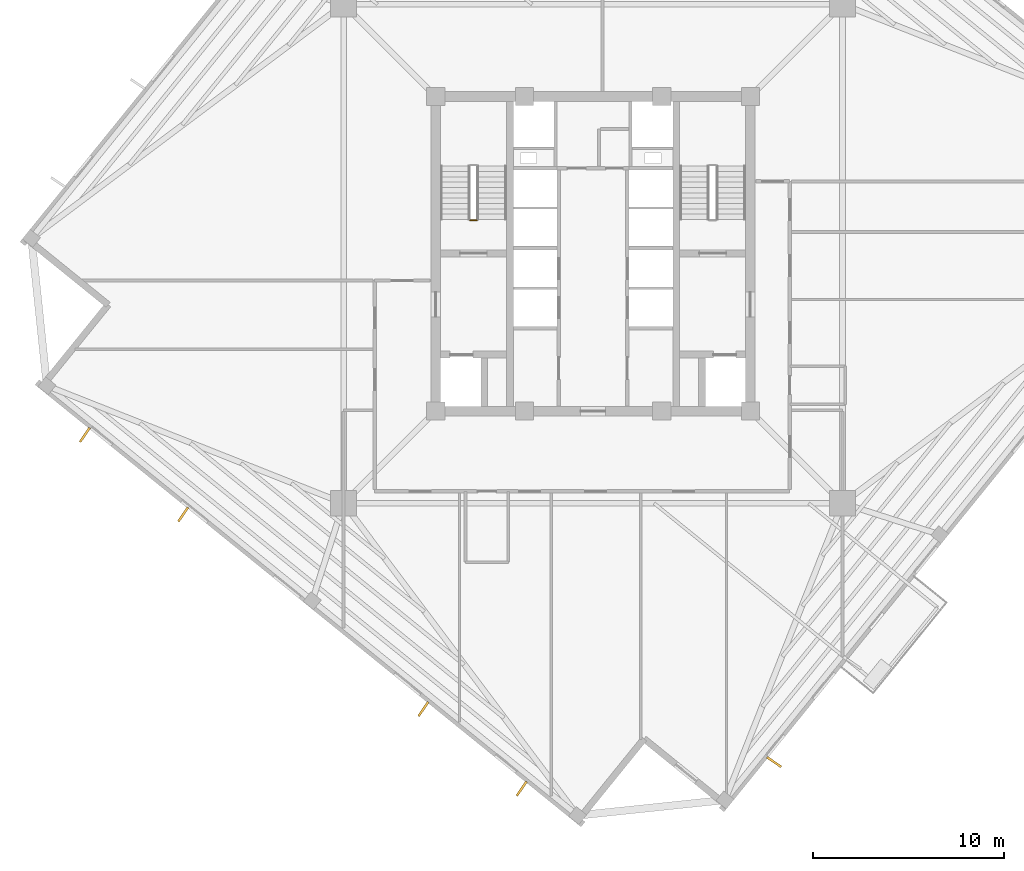
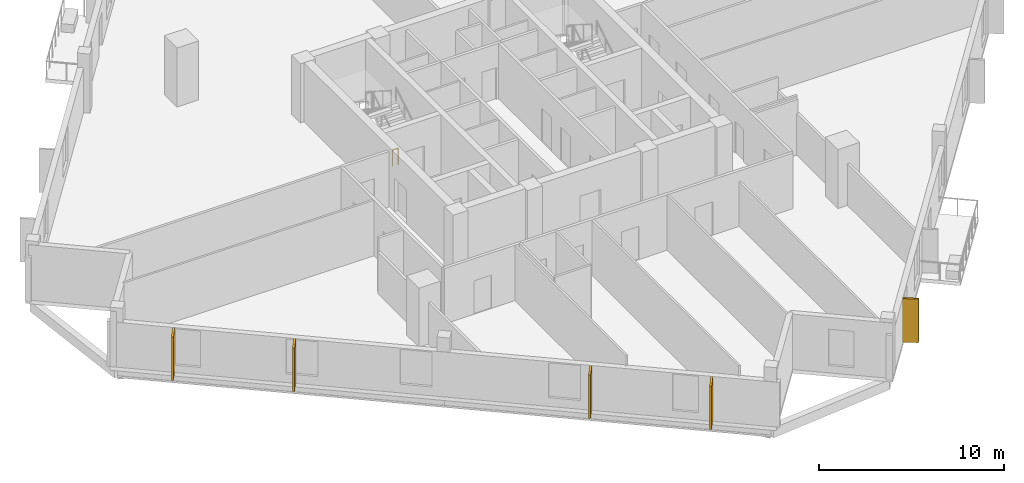
# One storey, part 6 of 9: 5 coverings, 1 railing.
"""IFC4 building model written with IfcOpenShell, lengths in metres."""

from ifc_helpers import new_model, si_unit, direction, frame, origin, origin_2d, place, context, subcontext, project, spatial, rectangle, circle, extrude, source, transform, mapped, material, layer, layer_set, type_object, element, save


model = new_model("IFC4")

# Units and contexts
model_context = context("Model", 3, precision=1e-05, world=origin(), true_north=direction((0.0, 1.0)))
body_context = subcontext(model_context, "Body", "Model", "MODEL_VIEW")
ifc_project = project(units=[si_unit("LENGTHUNIT", "METRE"), si_unit("AREAUNIT", "SQUARE_METRE"), si_unit("VOLUMEUNIT", "CUBIC_METRE"), si_unit("PLANEANGLEUNIT", "RADIAN"), si_unit("MASSUNIT", "GRAM", prefix="KILO"), si_unit("THERMODYNAMICTEMPERATUREUNIT", "KELVIN")], contexts=[model_context])

# Site, building, storey
site_placement = place(None, origin())
site = spatial("IfcSite", under=ifc_project, at=site_placement, CompositionType="ELEMENT")
building_placement = place(site_placement, origin())
building = spatial("IfcBuilding", under=site, at=building_placement, Name="Kosmvard Interchange Tower", CompositionType="ELEMENT")
storey_placement = place(building_placement, frame((0.0, 0.0, 213.39990234375)))
storey = spatial("IfcBuildingStorey", under=building, at=storey_placement, Name="L51", CompositionType="ELEMENT", Elevation=213.39990234375)

# Coverings
ifc_material_1 = material(Name="Architectural anodised aluminium", Category="aluminium")
ifc_layer = layer(ifc_material_1, 0.1201171875, Name="Architectural anodised aluminium")
ifc_layer_set = layer_set([ifc_layer], Name="Architectural anodised aluminium")
covering_type = type_object("IfcCoveringType", Name="Rotating Vertical Sun-Breaker Fin 900x120 Aluminium", PredefinedType="CLADDING", material=ifc_layer_set)
shared_shape_1 = source(origin(), body_context, "Body", "SweptSolid", [
    extrude(rectangle(XDim=0.89990234375, YDim=0.1201171875, at=origin_2d()), origin(), (0.0, 0.0, 1.0), 2.8798828125),
])
for number, where, z_axis, x_axis, name in (
    (1, (9.494384765625, -26.650146484375, 0.0400390625), (0.0, 0.0, 1.0), (0.826393242792, -0.563093427655, 0.0), "L51 Rotating Vertical Sun-Breaker Fin 01"),
    (2, (-26.650146484375, -9.494384765625, 0.0400390625), (0.0, 0.0, 1.0), (-0.563093427655, -0.826393242792, 0.0), "L51 Rotating Vertical Sun-Breaker Fin 13"),
    (3, (-21.49658203125, -13.66748046875, 0.0400390625), (0.0, 0.0, 1.0), (-0.563093427655, -0.826393242792, 0.0), "L51 Rotating Vertical Sun-Breaker Fin 14"),
    (4, (-8.8994140625, -23.86865234375, 0.0400390625), (0.0, 0.0, 1.0), (-0.563093427655, -0.826393242792, 0.0), "L51 Rotating Vertical Sun-Breaker Fin 15"),
    (5, (-3.74609375, -28.041748046875, 0.0400390625), (0.0, 0.0, 1.0), (-0.563093427655, -0.826393242792, 0.0), "L51 Rotating Vertical Sun-Breaker Fin 16"),
):
    element("IfcCovering", number, at=place(storey_placement, frame(where, z_axis=z_axis, x_axis=x_axis)), inside=storey, type_object=covering_type, Name=name, PredefinedType="CLADDING", context=body_context, shape_type="MappedRepresentation", body=[
        mapped(shared_shape_1, transform((0.0, 0.0, 0.0), scale=1.0)),
    ])

# Railing
ifc_material_2 = material(Name="Steel S355", Category="steel")
railing_type = type_object("IfcRailingType", Name="Stair & Terrace Safety Guardrail 1100 Steel", PredefinedType="GUARDRAIL", material=ifc_material_2)
shared_shape_2 = source(origin(), body_context, "Body", "SweptSolid", [
    extrude(circle(Radius=0.02392578125, at=origin_2d()), frame((0.0, 0.0, 1.076171875), z_axis=(-1.0, 0.0, 0.0), x_axis=(0.0, -1.0, 0.0)), (0.0, 0.0, 1.0), 0.35986328125),
    extrude(circle(Radius=0.02099609375, at=origin_2d()), origin(), (0.0, 0.0, 1.0), 1.052001953125),
    extrude(circle(Radius=0.02099609375, at=origin_2d()), frame((-0.35986328125, 0.0, 0.0)), (0.0, 0.0, 1.0), 1.052001953125),
])
railing_placement = place(storey_placement, frame((-6.090087890625, 1.75, 0.0)))
element("IfcRailing", 6, at=railing_placement, inside=storey, type_object=railing_type, Name="L51 ST-1 stair guard 4", PredefinedType="GUARDRAIL", context=body_context, shape_type="MappedRepresentation", body=[
    mapped(shared_shape_2, transform((0.0, 0.0, 0.0), scale=1.0)),
])

save(model, "model.ifc")
